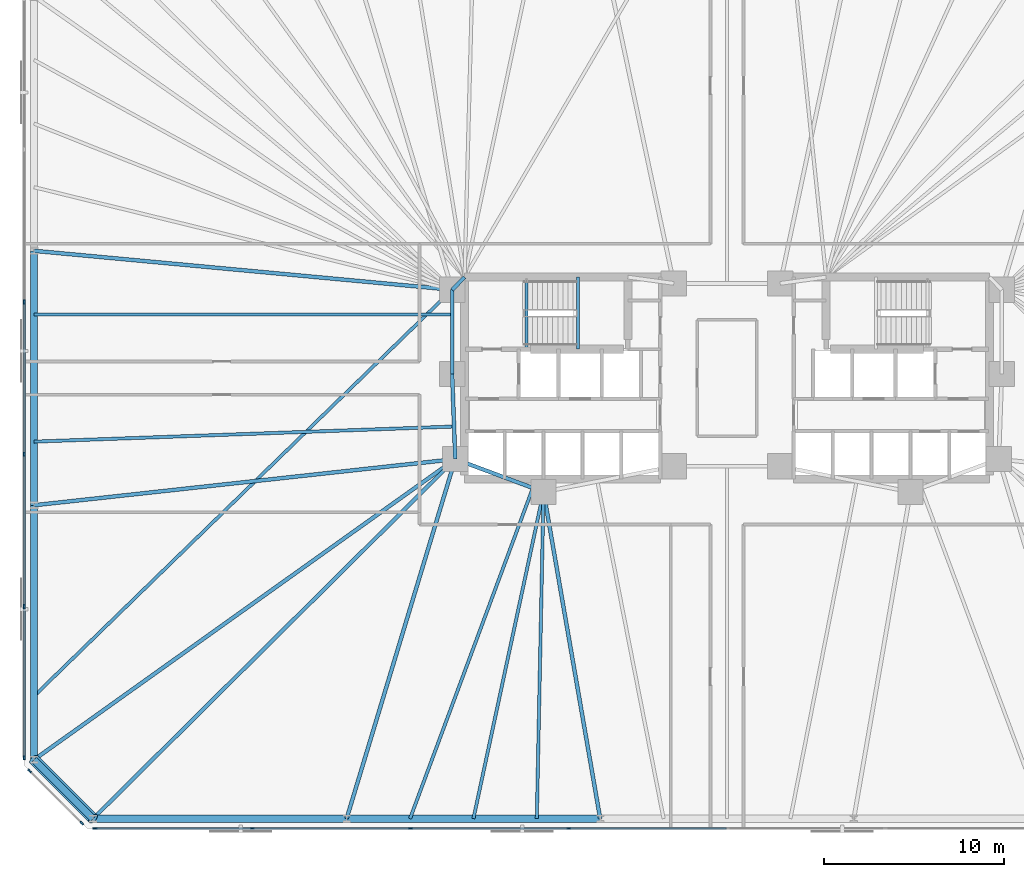
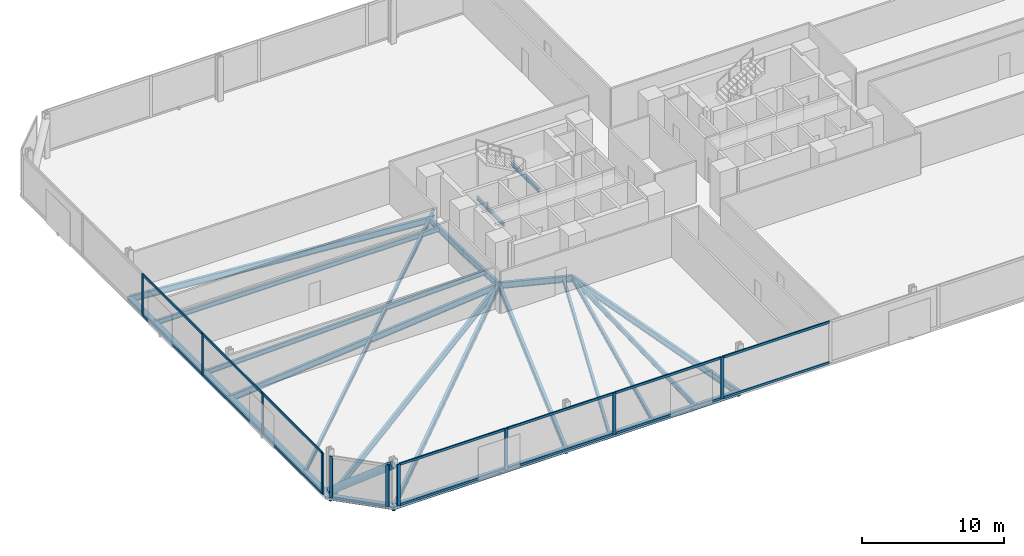
# One storey, part 6 of 16: 25 members, 23 beams, 3 elements without a shape of their own.
"""IFC4 building model written with IfcOpenShell, lengths in metres."""

from ifc_helpers import new_model, si_unit, direction, frame, origin, origin_2d, place, context, subcontext, project, spatial, rectangle, hollow_circle, i_section, extrude, material, material_profile, profile_set, type_object, element, aggregate, save


model = new_model("IFC4")

# Units and contexts
model_context = context("Model", 3, precision=1e-05, world=origin(), true_north=direction((0.0, 1.0)))
body_context = subcontext(model_context, "Body", "Model", "MODEL_VIEW")
ifc_project = project(units=[si_unit("LENGTHUNIT", "METRE"), si_unit("AREAUNIT", "SQUARE_METRE"), si_unit("VOLUMEUNIT", "CUBIC_METRE"), si_unit("PLANEANGLEUNIT", "RADIAN"), si_unit("MASSUNIT", "GRAM", prefix="KILO")], contexts=[model_context])

# Site, building, storey
site_placement = place(None, origin())
site = spatial("IfcSite", under=ifc_project, at=site_placement, CompositionType="ELEMENT")
building_placement = place(site_placement, origin())
building = spatial("IfcBuilding", under=site, at=building_placement, Name="Menara Jurai Vektor", CompositionType="ELEMENT")
storey_placement = place(building_placement, frame((0.0, 0.0, 14.199951171875)))
storey = spatial("IfcBuildingStorey", under=building, at=storey_placement, Name="L02", CompositionType="ELEMENT", Elevation=14.199951171875)

# Curtain wall, members
ifc_material_1 = material(Name="Anodised Pale Aluminium & Low-E Double Glazing", Category="aluminium")
curtain_wall_type = type_object("IfcCurtainWallType", Name="CW-BLK1", PredefinedType="NOTDEFINED", material=ifc_material_1)
curtain_wall_1_placement = place(storey_placement, origin())
curtain_wall_1 = element("IfcCurtainWall", 1, at=curtain_wall_1_placement, inside=storey, type_object=curtain_wall_type, Name="Unitised Curtain Wall L02 F01", PredefinedType="NOTDEFINED")
ifc_material_2 = material(Name="Anodised Pale Aluminium Mullion", Category="aluminium")
ifc_material_profile_1 = material_profile(ifc_material_2, rectangle(XDim=0.094970703125, YDim=0.239990234375, at=origin_2d()), Name="ALU MUL 95x240")
ifc_profile_set_1 = profile_set([ifc_material_profile_1], Name="Anodised Pale Aluminium Mullion")
member_type_1 = type_object("IfcMemberType", Name="CW-BLK1-MUL", PredefinedType="MULLION", material=ifc_profile_set_1)
member_1_placement = place(storey_placement, frame((-35.072509765625, -25.0, 0.0), z_axis=(0.0, 0.0, 1.0), x_axis=(0.0, 1.0, 0.0)))
member_1 = element("IfcMember", 2, at=member_1_placement, type_object=member_type_1, Name="CW-01 mullion 1", PredefinedType="MULLION", context=body_context, shape_type="SweptSolid", body=[
    extrude(rectangle(XDim=0.094970703125, YDim=0.239990234375, at=origin_2d()), origin(), (0.0, 0.0, 1.0), 3.574951171875),
])
member_2_placement = place(storey_placement, frame((-26.340087890625, -25.0, 0.0), z_axis=(0.0, 0.0, 1.0), x_axis=(0.0, 1.0, 0.0)))
member_2 = element("IfcMember", 3, at=member_2_placement, type_object=member_type_1, Name="CW-01 mullion 2", PredefinedType="MULLION", context=body_context, shape_type="SweptSolid", body=[
    extrude(rectangle(XDim=0.094970703125, YDim=0.239990234375, at=origin_2d()), origin(), (0.0, 0.0, 1.0), 3.574951171875),
])
member_3_placement = place(storey_placement, frame((-17.56005859375, -25.0, 0.0), z_axis=(0.0, 0.0, 1.0), x_axis=(0.0, 1.0, 0.0)))
member_3 = element("IfcMember", 4, at=member_3_placement, type_object=member_type_1, Name="CW-01 mullion 3", PredefinedType="MULLION", context=body_context, shape_type="SweptSolid", body=[
    extrude(rectangle(XDim=0.094970703125, YDim=0.239990234375, at=origin_2d()), origin(), (0.0, 0.0, 1.0), 3.574951171875),
])
member_4_placement = place(storey_placement, frame((-8.780029296875, -25.0, 0.0), z_axis=(0.0, 0.0, 1.0), x_axis=(0.0, 1.0, 0.0)))
member_4 = element("IfcMember", 5, at=member_4_placement, type_object=member_type_1, Name="CW-01 mullion 4", PredefinedType="MULLION", context=body_context, shape_type="SweptSolid", body=[
    extrude(rectangle(XDim=0.094970703125, YDim=0.239990234375, at=origin_2d()), origin(), (0.0, 0.0, 1.0), 3.574951171875),
])

curtain_wall_2_placement = place(storey_placement, origin())
curtain_wall_2 = element("IfcCurtainWall", 6, at=curtain_wall_2_placement, inside=storey, type_object=curtain_wall_type, Name="Unitised Curtain Wall L02 F07", PredefinedType="NOTDEFINED")
member_5_placement = place(storey_placement, frame((-39.0, 4.22412109375, 0.0), z_axis=(0.0, 0.0, 1.0), x_axis=(1.0, 0.0, 0.0)))
member_5 = element("IfcMember", 7, at=member_5_placement, type_object=member_type_1, Name="CW-01 mullion 3", PredefinedType="MULLION", context=body_context, shape_type="SweptSolid", body=[
    extrude(rectangle(XDim=0.094970703125, YDim=0.239990234375, at=origin_2d()), origin(), (0.0, 0.0, 1.0), 3.574951171875),
])
member_6_placement = place(storey_placement, frame((-39.0, -4.22412109375, 0.0), z_axis=(0.0, 0.0, 1.0), x_axis=(1.0, 0.0, 0.0)))
member_6 = element("IfcMember", 8, at=member_6_placement, type_object=member_type_1, Name="CW-01 mullion 4", PredefinedType="MULLION", context=body_context, shape_type="SweptSolid", body=[
    extrude(rectangle(XDim=0.094970703125, YDim=0.239990234375, at=origin_2d()), origin(), (0.0, 0.0, 1.0), 3.574951171875),
])
member_7_placement = place(storey_placement, frame((-39.0, -12.672119140625, 0.0), z_axis=(0.0, 0.0, 1.0), x_axis=(1.0, 0.0, 0.0)))
member_7 = element("IfcMember", 9, at=member_7_placement, type_object=member_type_1, Name="CW-01 mullion 5", PredefinedType="MULLION", context=body_context, shape_type="SweptSolid", body=[
    extrude(rectangle(XDim=0.094970703125, YDim=0.239990234375, at=origin_2d()), origin(), (0.0, 0.0, 1.0), 3.574951171875),
])
member_8_placement = place(storey_placement, frame((-39.0, -21.072509765625, 0.0), z_axis=(0.0, 0.0, 1.0), x_axis=(1.0, 0.0, 0.0)))
member_8 = element("IfcMember", 10, at=member_8_placement, type_object=member_type_1, Name="CW-01 mullion 6", PredefinedType="MULLION", context=body_context, shape_type="SweptSolid", body=[
    extrude(rectangle(XDim=0.094970703125, YDim=0.239990234375, at=origin_2d()), origin(), (0.0, 0.0, 1.0), 3.574951171875),
])

curtain_wall_3_placement = place(storey_placement, origin())
curtain_wall_3 = element("IfcCurtainWall", 11, at=curtain_wall_3_placement, inside=storey, type_object=curtain_wall_type, Name="Unitised Curtain Wall L02 F08", PredefinedType="NOTDEFINED")
member_9_placement = place(storey_placement, frame((-38.69775390625, -21.80224609375, 0.0), z_axis=(0.0, 0.0, 1.0), x_axis=(0.707106781187, 0.707106781187, 0.0)))
member_9 = element("IfcMember", 12, at=member_9_placement, type_object=member_type_1, Name="CW-01 mullion 1", PredefinedType="MULLION", context=body_context, shape_type="SweptSolid", body=[
    extrude(rectangle(XDim=0.094970703125, YDim=0.239990234375, at=origin_2d()), origin(), (0.0, 0.0, 1.0), 3.574951171875),
])
member_10_placement = place(storey_placement, frame((-35.80224609375, -24.69775390625, 0.0), z_axis=(0.0, 0.0, 1.0), x_axis=(0.707106781187, 0.707106781187, 0.0)))
member_10 = element("IfcMember", 13, at=member_10_placement, type_object=member_type_1, Name="CW-01 mullion 2", PredefinedType="MULLION", context=body_context, shape_type="SweptSolid", body=[
    extrude(rectangle(XDim=0.094970703125, YDim=0.239990234375, at=origin_2d()), origin(), (0.0, 0.0, 1.0), 3.574951171875),
])
aggregate(curtain_wall_3, [member_9, member_10])

# Member
ifc_material_3 = material(Name="Anodised Pale Aluminium Transom", Category="aluminium")
ifc_material_profile_2 = material_profile(ifc_material_3, rectangle(XDim=0.094970703125, YDim=0.199951171875, at=origin_2d()), Name="ALU TRN 95x200")
ifc_profile_set_2 = profile_set([ifc_material_profile_2], Name="Anodised Pale Aluminium Transom")
member_type_2 = type_object("IfcMemberType", Name="CW-BLK1-TRN", PredefinedType="USERDEFINED", material=ifc_profile_set_2)
member_11_placement = place(storey_placement, frame((-35.02490234375, -25.0, 0.047607421875), z_axis=(1.0, 0.0, 0.0), x_axis=(0.0, 1.0, 0.0)))
member_11 = element("IfcMember", 14, at=member_11_placement, type_object=member_type_2, Name="CW-01 transom 1.1", ObjectType="TRANSOM", PredefinedType="USERDEFINED", context=body_context, shape_type="SweptSolid", body=[
    extrude(rectangle(XDim=0.094970703125, YDim=0.199951171875, at=origin_2d()), origin(), (0.0, 0.0, 1.0), 8.637451171875),
])

member_12_placement = place(storey_placement, frame((-35.02490234375, -25.0, 3.527587890625), z_axis=(1.0, 0.0, 0.0), x_axis=(0.0, 1.0, 0.0)))
member_12 = element("IfcMember", 15, at=member_12_placement, type_object=member_type_2, Name="CW-01 transom 1.2", ObjectType="TRANSOM", PredefinedType="USERDEFINED", context=body_context, shape_type="SweptSolid", body=[
    extrude(rectangle(XDim=0.094970703125, YDim=0.199951171875, at=origin_2d()), origin(), (0.0, 0.0, 1.0), 8.637451171875),
])

member_13_placement = place(storey_placement, frame((-26.29248046875, -25.0, 0.047607421875), z_axis=(1.0, 0.0, 0.0), x_axis=(0.0, 1.0, 0.0)))
member_13 = element("IfcMember", 16, at=member_13_placement, type_object=member_type_2, Name="CW-01 transom 2.1", ObjectType="TRANSOM", PredefinedType="USERDEFINED", context=body_context, shape_type="SweptSolid", body=[
    extrude(rectangle(XDim=0.094970703125, YDim=0.199951171875, at=origin_2d()), origin(), (0.0, 0.0, 1.0), 8.68505859375),
])

member_14_placement = place(storey_placement, frame((-26.29248046875, -25.0, 3.527587890625), z_axis=(1.0, 0.0, 0.0), x_axis=(0.0, 1.0, 0.0)))
member_14 = element("IfcMember", 17, at=member_14_placement, type_object=member_type_2, Name="CW-01 transom 2.2", ObjectType="TRANSOM", PredefinedType="USERDEFINED", context=body_context, shape_type="SweptSolid", body=[
    extrude(rectangle(XDim=0.094970703125, YDim=0.199951171875, at=origin_2d()), origin(), (0.0, 0.0, 1.0), 8.68505859375),
])

member_15_placement = place(storey_placement, frame((-17.512451171875, -25.0, 0.047607421875), z_axis=(1.0, 0.0, 0.0), x_axis=(0.0, 1.0, 0.0)))
member_15 = element("IfcMember", 18, at=member_15_placement, type_object=member_type_2, Name="CW-01 transom 3.1", ObjectType="TRANSOM", PredefinedType="USERDEFINED", context=body_context, shape_type="SweptSolid", body=[
    extrude(rectangle(XDim=0.094970703125, YDim=0.199951171875, at=origin_2d()), origin(), (0.0, 0.0, 1.0), 8.68505859375),
])

member_16_placement = place(storey_placement, frame((-17.512451171875, -25.0, 3.527587890625), z_axis=(1.0, 0.0, 0.0), x_axis=(0.0, 1.0, 0.0)))
member_16 = element("IfcMember", 19, at=member_16_placement, type_object=member_type_2, Name="CW-01 transom 3.2", ObjectType="TRANSOM", PredefinedType="USERDEFINED", context=body_context, shape_type="SweptSolid", body=[
    extrude(rectangle(XDim=0.094970703125, YDim=0.199951171875, at=origin_2d()), origin(), (0.0, 0.0, 1.0), 8.68505859375),
])

member_17_placement = place(storey_placement, frame((-8.732421875, -25.0, 0.047607421875), z_axis=(1.0, 0.0, 0.0), x_axis=(0.0, 1.0, 0.0)))
member_17 = element("IfcMember", 20, at=member_17_placement, type_object=member_type_2, Name="CW-01 transom 4.1", ObjectType="TRANSOM", PredefinedType="USERDEFINED", context=body_context, shape_type="SweptSolid", body=[
    extrude(rectangle(XDim=0.094970703125, YDim=0.199951171875, at=origin_2d()), origin(), (0.0, 0.0, 1.0), 8.684814453125),
])

member_18_placement = place(storey_placement, frame((-8.732421875, -25.0, 3.527587890625), z_axis=(1.0, 0.0, 0.0), x_axis=(0.0, 1.0, 0.0)))
member_18 = element("IfcMember", 21, at=member_18_placement, type_object=member_type_2, Name="CW-01 transom 4.2", ObjectType="TRANSOM", PredefinedType="USERDEFINED", context=body_context, shape_type="SweptSolid", body=[
    extrude(rectangle(XDim=0.094970703125, YDim=0.199951171875, at=origin_2d()), origin(), (0.0, 0.0, 1.0), 8.684814453125),
])

aggregate(curtain_wall_1, [member_1, member_2, member_3, member_4, member_11, member_12, member_13, member_14, member_15, member_16, member_17, member_18])

member_19_placement = place(storey_placement, frame((-39.0, 4.176513671875, 0.047607421875), z_axis=(0.0, -1.0, 0.0), x_axis=(1.0, 0.0, 0.0)))
member_19 = element("IfcMember", 22, at=member_19_placement, type_object=member_type_2, Name="CW-01 transom 3.1", ObjectType="TRANSOM", PredefinedType="USERDEFINED", context=body_context, shape_type="SweptSolid", body=[
    extrude(rectangle(XDim=0.094970703125, YDim=0.199951171875, at=origin_2d()), origin(), (0.0, 0.0, 1.0), 8.35302734375),
])

member_20_placement = place(storey_placement, frame((-39.0, 4.176513671875, 3.527587890625), z_axis=(0.0, -1.0, 0.0), x_axis=(1.0, 0.0, 0.0)))
member_20 = element("IfcMember", 23, at=member_20_placement, type_object=member_type_2, Name="CW-01 transom 3.2", ObjectType="TRANSOM", PredefinedType="USERDEFINED", context=body_context, shape_type="SweptSolid", body=[
    extrude(rectangle(XDim=0.094970703125, YDim=0.199951171875, at=origin_2d()), origin(), (0.0, 0.0, 1.0), 8.35302734375),
])

member_21_placement = place(storey_placement, frame((-39.0, -4.271484375, 0.047607421875), z_axis=(0.0, -1.0, 0.0), x_axis=(1.0, 0.0, 0.0)))
member_21 = element("IfcMember", 24, at=member_21_placement, type_object=member_type_2, Name="CW-01 transom 4.1", ObjectType="TRANSOM", PredefinedType="USERDEFINED", context=body_context, shape_type="SweptSolid", body=[
    extrude(rectangle(XDim=0.094970703125, YDim=0.199951171875, at=origin_2d()), origin(), (0.0, 0.0, 1.0), 8.35302734375),
])

member_22_placement = place(storey_placement, frame((-39.0, -4.271484375, 3.527587890625), z_axis=(0.0, -1.0, 0.0), x_axis=(1.0, 0.0, 0.0)))
member_22 = element("IfcMember", 25, at=member_22_placement, type_object=member_type_2, Name="CW-01 transom 4.2", ObjectType="TRANSOM", PredefinedType="USERDEFINED", context=body_context, shape_type="SweptSolid", body=[
    extrude(rectangle(XDim=0.094970703125, YDim=0.199951171875, at=origin_2d()), origin(), (0.0, 0.0, 1.0), 8.35302734375),
])

member_23_placement = place(storey_placement, frame((-39.0, -12.719482421875, 0.047607421875), z_axis=(0.0, -1.0, 0.0), x_axis=(1.0, 0.0, 0.0)))
member_23 = element("IfcMember", 26, at=member_23_placement, type_object=member_type_2, Name="CW-01 transom 5.1", ObjectType="TRANSOM", PredefinedType="USERDEFINED", context=body_context, shape_type="SweptSolid", body=[
    extrude(rectangle(XDim=0.094970703125, YDim=0.199951171875, at=origin_2d()), origin(), (0.0, 0.0, 1.0), 8.305419921875),
])

member_24_placement = place(storey_placement, frame((-39.0, -12.719482421875, 3.527587890625), z_axis=(0.0, -1.0, 0.0), x_axis=(1.0, 0.0, 0.0)))
member_24 = element("IfcMember", 27, at=member_24_placement, type_object=member_type_2, Name="CW-01 transom 5.2", ObjectType="TRANSOM", PredefinedType="USERDEFINED", context=body_context, shape_type="SweptSolid", body=[
    extrude(rectangle(XDim=0.094970703125, YDim=0.199951171875, at=origin_2d()), origin(), (0.0, 0.0, 1.0), 8.305419921875),
])

aggregate(curtain_wall_2, [member_5, member_6, member_7, member_8, member_19, member_20, member_21, member_22, member_23, member_24])

# Beams
ifc_material_4 = material(Name="Steel S355", Category="steel")
ifc_material_profile_3 = material_profile(ifc_material_4, i_section(OverallWidth=0.2109375, OverallDepth=0.5390625, WebThickness=0.011962890625, FlangeThickness=0.01904296875, FilletRadius=0.012939453125, at=origin_2d()), Name="UKB 533x210x109")
ifc_profile_set_3 = profile_set([ifc_material_profile_3], Name="Steel S355")
beam_type_1 = type_object("IfcBeamType", Name="STR-BM-533", PredefinedType="BEAM", material=ifc_profile_set_3)
beam_1_placement = place(storey_placement, frame((-15.25, 4.89990234375, -0.494384765625), z_axis=(0.701871936926, 0.712303154672, 0.0), x_axis=(-0.712303154672, 0.701871936926, 0.0)))
element("IfcBeam", 28, at=beam_1_placement, inside=storey, type_object=beam_type_1, Name="Core Ring Header Girder L02-CHW-N1", PredefinedType="BEAM", context=body_context, shape_type="SweptSolid", body=[
    extrude(i_section(OverallWidth=0.2109375, OverallDepth=0.5390625, WebThickness=0.011962890625, FlangeThickness=0.01904296875, FilletRadius=0.012939453125, at=origin_2d()), origin(), (0.0, 0.0, 1.0), 0.98291015625),
])
beam_2_placement = place(storey_placement, frame((-15.25, 0.219970703125, -0.494384765625), z_axis=(0.0, 1.0, 0.0), x_axis=(-1.0, 0.0, 0.0)))
element("IfcBeam", 29, at=beam_2_placement, inside=storey, type_object=beam_type_1, Name="Core Ring Header Girder L02-CHW-W1", PredefinedType="BEAM", context=body_context, shape_type="SweptSolid", body=[
    extrude(i_section(OverallWidth=0.2109375, OverallDepth=0.5390625, WebThickness=0.011962890625, FlangeThickness=0.01904296875, FilletRadius=0.012939453125, at=origin_2d()), origin(), (0.0, 0.0, 1.0), 4.679931640625),
])
beam_3_placement = place(storey_placement, frame((-15.080078125, -4.5, -0.494384765625), z_axis=(-0.035977314146, 0.999352606874, 0.0), x_axis=(-0.999352606874, -0.035977314146, 0.0)))
element("IfcBeam", 30, at=beam_3_placement, inside=storey, type_object=beam_type_1, Name="Core Ring Header Girder L02-CHW-W2", PredefinedType="BEAM", context=body_context, shape_type="SweptSolid", body=[
    extrude(i_section(OverallWidth=0.2109375, OverallDepth=0.5390625, WebThickness=0.011962890625, FlangeThickness=0.01904296875, FilletRadius=0.012939453125, at=origin_2d()), origin(), (0.0, 0.0, 1.0), 4.72314453125),
])
beam_4_placement = place(storey_placement, frame((-15.080078125, -4.5, -0.494384765625), z_axis=(0.937424400887, -0.348188874925, 0.0), x_axis=(0.348188874925, 0.937424400887, 0.0)))
element("IfcBeam", 31, at=beam_4_placement, inside=storey, type_object=beam_type_1, Name="Core Ring Header Girder L02-CHW-S1", PredefinedType="BEAM", context=body_context, shape_type="SweptSolid", body=[
    extrude(i_section(OverallWidth=0.2109375, OverallDepth=0.5390625, WebThickness=0.011962890625, FlangeThickness=0.01904296875, FilletRadius=0.012939453125, at=origin_2d()), origin(), (0.0, 0.0, 1.0), 5.227294921875),
])
beam_5_placement = place(storey_placement, frame((-35.177734375, -24.449951171875, -0.494384765625), z_axis=(0.709709931659, 0.704494011972, 0.0), x_axis=(-0.704494011972, 0.709709931659, 0.0)))
element("IfcBeam", 32, at=beam_5_placement, inside=storey, type_object=beam_type_1, Name="Radial Floor Girder L02-S1", PredefinedType="BEAM", context=body_context, shape_type="SweptSolid", body=[
    extrude(i_section(OverallWidth=0.2109375, OverallDepth=0.5390625, WebThickness=0.011962890625, FlangeThickness=0.01904296875, FilletRadius=0.012939453125, at=origin_2d()), origin(), (0.0, 0.0, 1.0), 28.318115234375),
])
beam_6_placement = place(storey_placement, frame((-21.106689453125, -24.449951171875, -0.494384765625), z_axis=(0.289179812203, 0.957274796604, 0.0), x_axis=(-0.957274796604, 0.289179812203, 0.0)))
element("IfcBeam", 33, at=beam_6_placement, inside=storey, type_object=beam_type_1, Name="Radial Floor Girder L02-S2", PredefinedType="BEAM", context=body_context, shape_type="SweptSolid", body=[
    extrude(i_section(OverallWidth=0.2109375, OverallDepth=0.5390625, WebThickness=0.011962890625, FlangeThickness=0.01904296875, FilletRadius=0.012939453125, at=origin_2d()), origin(), (0.0, 0.0, 1.0), 20.84033203125),
])
beam_7_placement = place(storey_placement, frame((-7.03564453125, -24.449951171875, -0.494384765625), z_axis=(-0.170880325642, 0.985291791455, 0.0), x_axis=(-0.985291791455, -0.170880325642, 0.0)))
element("IfcBeam", 34, at=beam_7_placement, inside=storey, type_object=beam_type_1, Name="Radial Floor Girder L02-S3", PredefinedType="BEAM", context=body_context, shape_type="SweptSolid", body=[
    extrude(i_section(OverallWidth=0.2109375, OverallDepth=0.5390625, WebThickness=0.011962890625, FlangeThickness=0.01904296875, FilletRadius=0.012939453125, at=origin_2d()), origin(), (0.0, 0.0, 1.0), 18.400634765625),
])
beam_8_placement = place(storey_placement, frame((-38.449951171875, 7.059326171875, -0.494384765625), z_axis=(0.995696113112, -0.092678208514, 0.0), x_axis=(0.092678208514, 0.995696113112, 0.0)))
element("IfcBeam", 35, at=beam_8_placement, inside=storey, type_object=beam_type_1, Name="Radial Floor Girder L02-W2", PredefinedType="BEAM", context=body_context, shape_type="SweptSolid", body=[
    extrude(i_section(OverallWidth=0.2109375, OverallDepth=0.5390625, WebThickness=0.011962890625, FlangeThickness=0.01904296875, FilletRadius=0.012939453125, at=origin_2d()), origin(), (0.0, 0.0, 1.0), 23.30029296875),
])
beam_9_placement = place(storey_placement, frame((-38.449951171875, -7.059326171875, -0.494384765625), z_axis=(0.994056757953, 0.108863042253, 0.0), x_axis=(-0.108863042253, 0.994056757953, 0.0)))
element("IfcBeam", 36, at=beam_9_placement, inside=storey, type_object=beam_type_1, Name="Radial Floor Girder L02-W3", PredefinedType="BEAM", context=body_context, shape_type="SweptSolid", body=[
    extrude(i_section(OverallWidth=0.2109375, OverallDepth=0.5390625, WebThickness=0.011962890625, FlangeThickness=0.01904296875, FilletRadius=0.012939453125, at=origin_2d()), origin(), (0.0, 0.0, 1.0), 23.509521484375),
])
beam_10_placement = place(storey_placement, frame((-38.449951171875, -21.177734375, -0.494384765625), z_axis=(0.813981033216, 0.580891450759, 0.0), x_axis=(-0.580891450759, 0.813981033216, 0.0)))
element("IfcBeam", 37, at=beam_10_placement, inside=storey, type_object=beam_type_1, Name="Radial Floor Girder L02-W4", PredefinedType="BEAM", context=body_context, shape_type="SweptSolid", body=[
    extrude(i_section(OverallWidth=0.2109375, OverallDepth=0.5390625, WebThickness=0.011962890625, FlangeThickness=0.01904296875, FilletRadius=0.012939453125, at=origin_2d()), origin(), (0.0, 0.0, 1.0), 28.710693359375),
])
ifc_material_5 = material(Name="Steel S460", Category="steel")
ifc_material_profile_4 = material_profile(ifc_material_5, i_section(OverallWidth=0.39697265625, OverallDepth=0.31591796875, WebThickness=0.030029296875, FlangeThickness=0.048095703125, FilletRadius=0.014892578125, at=origin_2d()), Name="HD 400x382")
ifc_profile_set_4 = profile_set([ifc_material_profile_4], Name="Steel S460")
beam_type_2 = type_object("IfcBeamType", Name="STR-BM-CHORD382", PredefinedType="SPANDREL", material=ifc_profile_set_4)
for number, where, z_axis, x_axis, name in (
    (38, (-35.177734375, -24.449951171875, -0.383056640625), (1.0, 0.0, 0.0), (0.0, 1.0, 0.0), "Exoskeleton Spandrel Beam L02-01"),
    (39, (-21.106689453125, -24.449951171875, -0.383056640625), (1.0, 0.0, 0.0), (0.0, 1.0, 0.0), "Exoskeleton Spandrel Beam L02-02"),
):
    element("IfcBeam", number, at=place(storey_placement, frame(where, z_axis=z_axis, x_axis=x_axis)), inside=storey, type_object=beam_type_2, Name=name, PredefinedType="SPANDREL", context=body_context, shape_type="SweptSolid", body=[
        extrude(i_section(OverallWidth=0.39697265625, OverallDepth=0.31591796875, WebThickness=0.030029296875, FlangeThickness=0.048095703125, FilletRadius=0.014892578125, at=origin_2d()), origin(), (0.0, 0.0, 1.0), 14.071044921875),
    ])
beam_11_placement = place(storey_placement, frame((-38.449951171875, 7.059326171875, -0.383056640625), z_axis=(0.0, -1.0, 0.0), x_axis=(1.0, 0.0, 0.0)))
element("IfcBeam", 40, at=beam_11_placement, inside=storey, type_object=beam_type_2, Name="Exoskeleton Spandrel Beam L02-18", PredefinedType="SPANDREL", context=body_context, shape_type="SweptSolid", body=[
    extrude(i_section(OverallWidth=0.39697265625, OverallDepth=0.31591796875, WebThickness=0.030029296875, FlangeThickness=0.048095703125, FilletRadius=0.014892578125, at=origin_2d()), origin(), (0.0, 0.0, 1.0), 14.11865234375),
])
beam_12_placement = place(storey_placement, frame((-38.449951171875, -7.059326171875, -0.383056640625), z_axis=(0.0, -1.0, 0.0), x_axis=(1.0, 0.0, 0.0)))
element("IfcBeam", 41, at=beam_12_placement, inside=storey, type_object=beam_type_2, Name="Exoskeleton Spandrel Beam L02-19", PredefinedType="SPANDREL", context=body_context, shape_type="SweptSolid", body=[
    extrude(i_section(OverallWidth=0.39697265625, OverallDepth=0.31591796875, WebThickness=0.030029296875, FlangeThickness=0.048095703125, FilletRadius=0.014892578125, at=origin_2d()), origin(), (0.0, 0.0, 1.0), 14.118408203125),
])
beam_13_placement = place(storey_placement, frame((-38.449951171875, -21.177734375, -0.383056640625), z_axis=(0.707106781187, -0.707106781187, 0.0), x_axis=(0.707106781187, 0.707106781187, 0.0)))
element("IfcBeam", 42, at=beam_13_placement, inside=storey, type_object=beam_type_2, Name="Exoskeleton Spandrel Beam L02-20", PredefinedType="SPANDREL", context=body_context, shape_type="SweptSolid", body=[
    extrude(i_section(OverallWidth=0.39697265625, OverallDepth=0.31591796875, WebThickness=0.030029296875, FlangeThickness=0.048095703125, FilletRadius=0.014892578125, at=origin_2d()), origin(), (0.0, 0.0, 1.0), 4.627685546875),
])

# Member
ifc_material_profile_5 = material_profile(ifc_material_5, hollow_circle(Radius=0.304931640625, WallThickness=0.02490234375, at=origin_2d()), Name="CHS 610x25")
ifc_profile_set_5 = profile_set([ifc_material_profile_5], Name="Steel S460")
member_type_3 = type_object("IfcMemberType", Name="STR-BR-610", PredefinedType="BRACE", material=ifc_profile_set_5)
member_25_placement = place(storey_placement, frame((-38.449951171875, -21.177734375, 0.150146484375), z_axis=(0.588942422958, -0.588942422958, 0.553438022619), x_axis=(0.707106781187, 0.707106781187, 0.0)))
element("IfcMember", 43, at=member_25_placement, inside=storey, type_object=member_type_3, Name="Exoskeleton Corner Brace L02-4", PredefinedType="BRACE", context=body_context, shape_type="SweptSolid", body=[
    extrude(hollow_circle(Radius=0.304931640625, WallThickness=0.02490234375, at=origin_2d()), origin(), (0.0, 0.0, 1.0), 5.55615234375),
])

# Beams
ifc_material_profile_6 = material_profile(ifc_material_4, i_section(OverallWidth=0.178955078125, OverallDepth=0.408935546875, WebThickness=0.009033203125, FlangeThickness=0.013916015625, FilletRadius=0.010009765625, at=origin_2d()), Name="UKB 406x178x67")
ifc_profile_set_6 = profile_set([ifc_material_profile_6], Name="Steel S355")
beam_type_3 = type_object("IfcBeamType", Name="STR-JS-406", PredefinedType="JOIST", material=ifc_profile_set_6)
beam_14_placement = place(storey_placement, frame((-17.5888671875, -24.449951171875, -0.429443359375), z_axis=(0.348179014223, 0.937428063403, 0.0), x_axis=(-0.937428063403, 0.348179014223, 0.0)))
element("IfcBeam", 44, at=beam_14_placement, inside=storey, type_object=beam_type_3, Name="Radial Secondary Floor Joist L02-JS01", PredefinedType="JOIST", context=body_context, shape_type="SweptSolid", body=[
    extrude(i_section(OverallWidth=0.178955078125, OverallDepth=0.408935546875, WebThickness=0.009033203125, FlangeThickness=0.013916015625, FilletRadius=0.010009765625, at=origin_2d()), origin(), (0.0, 0.0, 1.0), 19.5751953125),
])
beam_15_placement = place(storey_placement, frame((-14.071044921875, -24.449951171875, -0.429443359375), z_axis=(0.209845584412, 0.977734539997, 0.0), x_axis=(-0.977734539997, 0.209845584412, 0.0)))
element("IfcBeam", 45, at=beam_15_placement, inside=storey, type_object=beam_type_3, Name="Radial Secondary Floor Joist L02-JS02", PredefinedType="JOIST", context=body_context, shape_type="SweptSolid", body=[
    extrude(i_section(OverallWidth=0.178955078125, OverallDepth=0.408935546875, WebThickness=0.009033203125, FlangeThickness=0.013916015625, FilletRadius=0.010009765625, at=origin_2d()), origin(), (0.0, 0.0, 1.0), 18.542724609375),
])
beam_16_placement = place(storey_placement, frame((-10.55322265625, -24.449951171875, -0.429443359375), z_axis=(0.020585456509, 0.999788097039, 0.0), x_axis=(-0.999788097039, 0.020585456509, 0.0)))
element("IfcBeam", 46, at=beam_16_placement, inside=storey, type_object=beam_type_3, Name="Radial Secondary Floor Joist L02-JS03", PredefinedType="JOIST", context=body_context, shape_type="SweptSolid", body=[
    extrude(i_section(OverallWidth=0.178955078125, OverallDepth=0.408935546875, WebThickness=0.009033203125, FlangeThickness=0.013916015625, FilletRadius=0.010009765625, at=origin_2d()), origin(), (0.0, 0.0, 1.0), 18.1337890625),
])
beam_17_placement = place(storey_placement, frame((-38.449951171875, 3.529541015625, -0.429443359375), z_axis=(1.0, 0.0, 0.0), x_axis=(0.0, 1.0, 0.0)))
element("IfcBeam", 47, at=beam_17_placement, inside=storey, type_object=beam_type_3, Name="Radial Secondary Floor Joist L02-JS35", PredefinedType="JOIST", context=body_context, shape_type="SweptSolid", body=[
    extrude(i_section(OverallWidth=0.178955078125, OverallDepth=0.408935546875, WebThickness=0.009033203125, FlangeThickness=0.013916015625, FilletRadius=0.010009765625, at=origin_2d()), origin(), (0.0, 0.0, 1.0), 23.199951171875),
])
beam_18_placement = place(storey_placement, frame((-38.449951171875, -3.529541015625, -0.429443359375), z_axis=(0.999352032814, 0.035993256462, 0.0), x_axis=(-0.035993256462, 0.999352032814, 0.0)))
element("IfcBeam", 48, at=beam_18_placement, inside=storey, type_object=beam_type_3, Name="Radial Secondary Floor Joist L02-JS36", PredefinedType="JOIST", context=body_context, shape_type="SweptSolid", body=[
    extrude(i_section(OverallWidth=0.178955078125, OverallDepth=0.408935546875, WebThickness=0.009033203125, FlangeThickness=0.013916015625, FilletRadius=0.010009765625, at=origin_2d()), origin(), (0.0, 0.0, 1.0), 23.31982421875),
])
beam_19_placement = place(storey_placement, frame((-38.449951171875, -17.648193359375, -0.429443359375), z_axis=(0.71710942187, 0.696960599363, 0.0), x_axis=(-0.696960599363, 0.71710942187, 0.0)))
element("IfcBeam", 49, at=beam_19_placement, inside=storey, type_object=beam_type_3, Name="Radial Secondary Floor Joist L02-JS37", PredefinedType="JOIST", context=body_context, shape_type="SweptSolid", body=[
    extrude(i_section(OverallWidth=0.178955078125, OverallDepth=0.408935546875, WebThickness=0.009033203125, FlangeThickness=0.013916015625, FilletRadius=0.010009765625, at=origin_2d()), origin(), (0.0, 0.0, 1.0), 32.35205078125),
])
ifc_material_profile_7 = material_profile(ifc_material_4, i_section(OverallWidth=0.1650390625, OverallDepth=0.302978515625, WebThickness=0.006103515625, FlangeThickness=0.010009765625, FilletRadius=0.009033203125, at=origin_2d()), Name="UKB 305x165x40")
ifc_profile_set_7 = profile_set([ifc_material_profile_7], Name="Steel S355")
beam_type_4 = type_object("IfcBeamType", Name="STR-LN-305", PredefinedType="LINTEL", material=ifc_profile_set_7)
beam_20_placement = place(storey_placement, frame((-11.1201171875, 1.60009765625, -0.37646484375), z_axis=(0.0, 1.0, 0.0), x_axis=(-1.0, 0.0, 0.0)))
element("IfcBeam", 50, at=beam_20_placement, inside=storey, type_object=beam_type_4, Name="Stair Well Floor Trimmer ST1 L02", PredefinedType="LINTEL", context=body_context, shape_type="SweptSolid", body=[
    extrude(i_section(OverallWidth=0.1650390625, OverallDepth=0.302978515625, WebThickness=0.006103515625, FlangeThickness=0.010009765625, FilletRadius=0.009033203125, at=origin_2d()), origin(), (0.0, 0.0, 1.0), 3.81982421875),
])
beam_21_placement = place(storey_placement, frame((-8.27001953125, 1.60009765625, 1.548583984375), z_axis=(0.0, 1.0, 0.0), x_axis=(-1.0, 0.0, 0.0)))
element("IfcBeam", 51, at=beam_21_placement, inside=storey, type_object=beam_type_4, Name="Stair Half-Landing Nosing Trimmer ST1-1 L02", PredefinedType="LINTEL", context=body_context, shape_type="SweptSolid", body=[
    extrude(i_section(OverallWidth=0.1650390625, OverallDepth=0.302978515625, WebThickness=0.006103515625, FlangeThickness=0.010009765625, FilletRadius=0.009033203125, at=origin_2d()), origin(), (0.0, 0.0, 1.0), 4.0),
])

save(model, "model.ifc")
